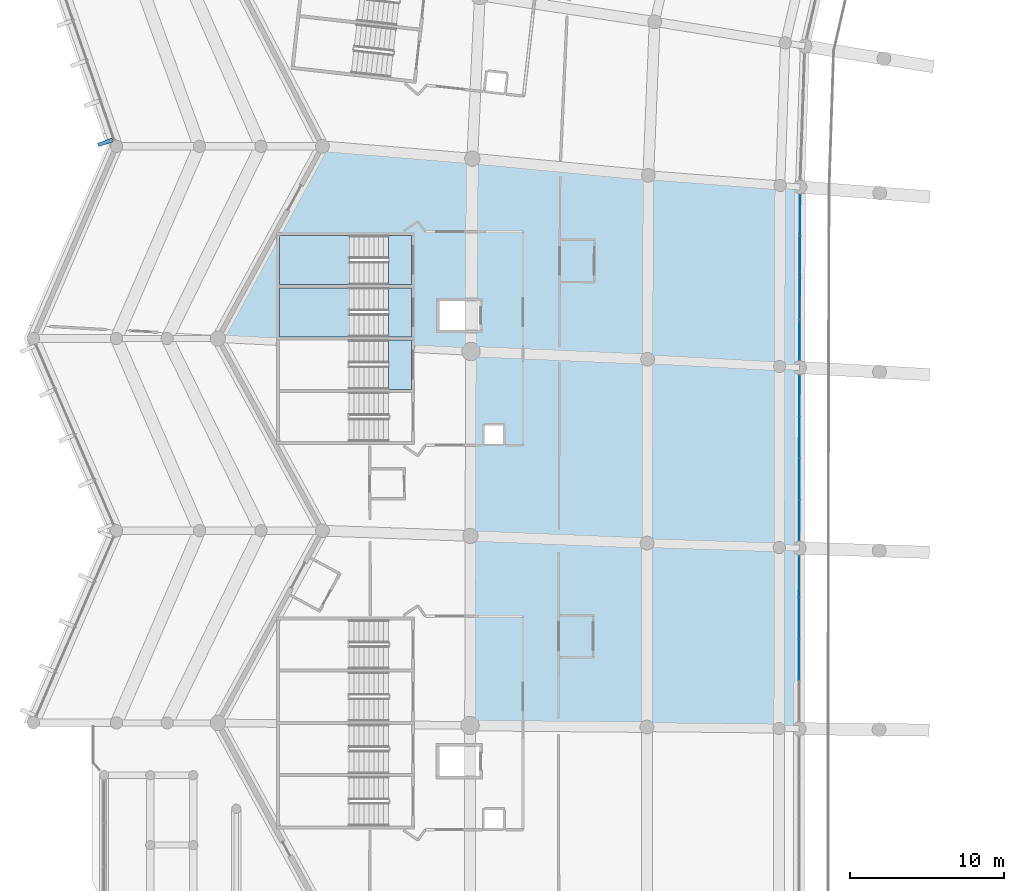
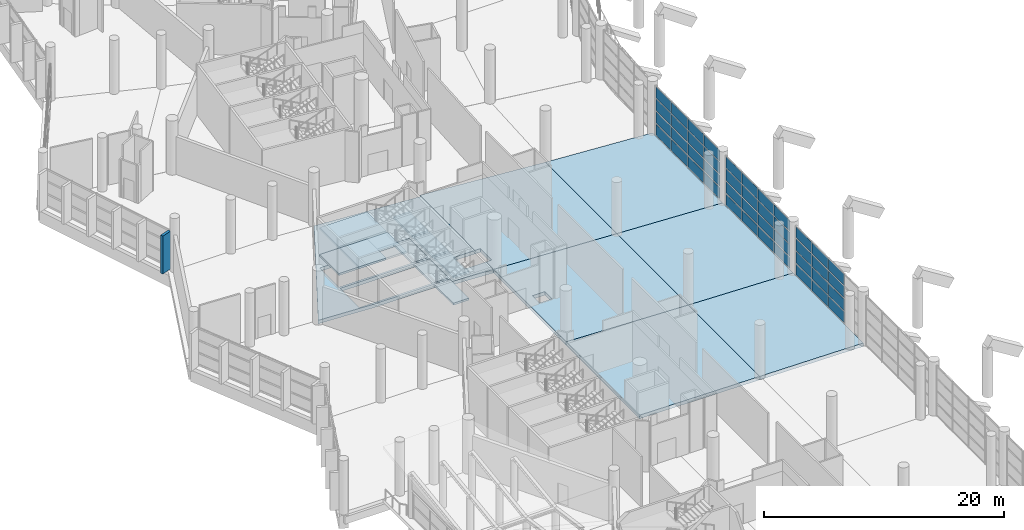
# One storey, part 138 of 271: 45 plates, 16 slabs, 6 elements without a shape of their own.
"""IFC4 building model written with IfcOpenShell, lengths in metres."""

from ifc_helpers import new_model, si_unit, direction, frame, origin, origin_2d, place, context, subcontext, project, spatial, polyline, rectangle, outline, extrude, material, layer, layer_set, type_object, element, aggregate, save


model = new_model("IFC4")

# Units and contexts
model_context = context("Model", 3, precision=1e-05, world=origin(), true_north=direction((0.0, 1.0)))
body_context = subcontext(model_context, "Body", "Model", "MODEL_VIEW")
ifc_project = project(units=[si_unit("LENGTHUNIT", "METRE"), si_unit("AREAUNIT", "SQUARE_METRE"), si_unit("VOLUMEUNIT", "CUBIC_METRE"), si_unit("PLANEANGLEUNIT", "RADIAN"), si_unit("MASSUNIT", "GRAM", prefix="KILO")], contexts=[model_context])

# Site, building, storey
site_placement = place(None, origin())
site = spatial("IfcSite", under=ifc_project, at=site_placement, CompositionType="ELEMENT")
building_placement = place(site_placement, origin())
building = spatial("IfcBuilding", under=site, at=building_placement, Name="Meseta Stadium", CompositionType="ELEMENT")
storey_placement = place(building_placement, frame((0.0, 0.0, 6.5)))
storey = spatial("IfcBuildingStorey", under=building, at=storey_placement, Name="L01", CompositionType="ELEMENT", Elevation=6.5)

# Curtain wall, plates
ifc_material_1 = material(Name="Aluminium", Category="aluminium")
ifc_layer_1 = layer(ifc_material_1, 0.199951171875)
ifc_layer_set_1 = layer_set([ifc_layer_1], Name="Club glazing curtain wall")
curtain_wall_type = type_object("IfcCurtainWallType", Name="Club glazing curtain wall", PredefinedType="NOTDEFINED", material=ifc_layer_set_1)
curtain_wall_1_placement = place(storey_placement, origin())
curtain_wall_1 = element("IfcCurtainWall", 1, at=curtain_wall_1_placement, inside=storey, type_object=curtain_wall_type, Name="Club glazing bay 29", PredefinedType="NOTDEFINED")
ifc_material_2 = material(Name="Glass", Category="glass")
ifc_layer_2 = layer(ifc_material_2, 0.028076171875)
ifc_layer_set_2 = layer_set([ifc_layer_2], Name="CW glass panel 28")
plate_type_1 = type_object("IfcPlateType", Name="CW glass panel 28", PredefinedType="CURTAIN_PANEL", material=ifc_layer_set_2)
plate_1_placement = place(storey_placement, frame((-63.538818359375, 39.2578125, 0.1201171875), z_axis=(0.0, 0.0, 1.0), x_axis=(-0.002758360998, -0.999996195715, 0.0)))
plate_1 = element("IfcPlate", 2, at=plate_1_placement, type_object=plate_type_1, Name="CWC panel 1.1", PredefinedType="CURTAIN_PANEL", context=body_context, shape_type="SweptSolid", body=[
    extrude(rectangle(XDim=2.613037109375, YDim=0.028076171875, at=origin_2d()), origin(), (0.0, 0.0, 1.0), 1.107421875),
])
plate_2_placement = place(storey_placement, frame((-63.538818359375, 39.2578125, 1.347412109375), z_axis=(0.0, 0.0, 1.0), x_axis=(-0.002758360998, -0.999996195715, 0.0)))
plate_2 = element("IfcPlate", 3, at=plate_2_placement, type_object=plate_type_1, Name="CWC panel 1.2", PredefinedType="CURTAIN_PANEL", context=body_context, shape_type="SweptSolid", body=[
    extrude(rectangle(XDim=2.613037109375, YDim=0.028076171875, at=origin_2d()), origin(), (0.0, 0.0, 1.0), 1.16748046875),
])
plate_3_placement = place(storey_placement, frame((-63.538818359375, 39.2578125, 2.635009765625), z_axis=(0.0, 0.0, 1.0), x_axis=(-0.002758360998, -0.999996195715, 0.0)))
plate_3 = element("IfcPlate", 4, at=plate_3_placement, type_object=plate_type_1, Name="CWC panel 1.3", PredefinedType="CURTAIN_PANEL", context=body_context, shape_type="SweptSolid", body=[
    extrude(rectangle(XDim=2.613037109375, YDim=0.028076171875, at=origin_2d()), origin(), (0.0, 0.0, 1.0), 1.16748046875),
])
plate_4_placement = place(storey_placement, frame((-63.538818359375, 39.2578125, 3.922607421875), z_axis=(0.0, 0.0, 1.0), x_axis=(-0.002758360998, -0.999996195715, 0.0)))
plate_4 = element("IfcPlate", 5, at=plate_4_placement, type_object=plate_type_1, Name="CWC panel 1.4", PredefinedType="CURTAIN_PANEL", context=body_context, shape_type="SweptSolid", body=[
    extrude(rectangle(XDim=2.613037109375, YDim=0.028076171875, at=origin_2d()), origin(), (0.0, 0.0, 1.0), 1.107421875),
])
plate_5_placement = place(storey_placement, frame((-63.546142578125, 36.56982421875, 0.1201171875), z_axis=(0.0, 0.0, 1.0), x_axis=(-0.002758360998, -0.999996195715, 0.0)))
plate_5 = element("IfcPlate", 6, at=plate_5_placement, type_object=plate_type_1, Name="CWC panel 2.1", PredefinedType="CURTAIN_PANEL", context=body_context, shape_type="SweptSolid", body=[
    extrude(rectangle(XDim=2.64306640625, YDim=0.028076171875, at=origin_2d()), origin(), (0.0, 0.0, 1.0), 1.107421875),
])
plate_6_placement = place(storey_placement, frame((-63.546142578125, 36.56982421875, 1.347412109375), z_axis=(0.0, 0.0, 1.0), x_axis=(-0.002758360998, -0.999996195715, 0.0)))
plate_6 = element("IfcPlate", 7, at=plate_6_placement, type_object=plate_type_1, Name="CWC panel 2.2", PredefinedType="CURTAIN_PANEL", context=body_context, shape_type="SweptSolid", body=[
    extrude(rectangle(XDim=2.64306640625, YDim=0.028076171875, at=origin_2d()), origin(), (0.0, 0.0, 1.0), 1.16748046875),
])
plate_7_placement = place(storey_placement, frame((-63.546142578125, 36.56982421875, 2.635009765625), z_axis=(0.0, 0.0, 1.0), x_axis=(-0.002758360998, -0.999996195715, 0.0)))
plate_7 = element("IfcPlate", 8, at=plate_7_placement, type_object=plate_type_1, Name="CWC panel 2.3", PredefinedType="CURTAIN_PANEL", context=body_context, shape_type="SweptSolid", body=[
    extrude(rectangle(XDim=2.64306640625, YDim=0.028076171875, at=origin_2d()), origin(), (0.0, 0.0, 1.0), 1.16748046875),
])
plate_8_placement = place(storey_placement, frame((-63.546142578125, 36.56982421875, 3.922607421875), z_axis=(0.0, 0.0, 1.0), x_axis=(-0.002758360998, -0.999996195715, 0.0)))
plate_8 = element("IfcPlate", 9, at=plate_8_placement, type_object=plate_type_1, Name="CWC panel 2.4", PredefinedType="CURTAIN_PANEL", context=body_context, shape_type="SweptSolid", body=[
    extrude(rectangle(XDim=2.64306640625, YDim=0.028076171875, at=origin_2d()), origin(), (0.0, 0.0, 1.0), 1.107421875),
])
plate_9_placement = place(storey_placement, frame((-63.5537109375, 33.86669921875, 0.1201171875), z_axis=(0.0, 0.0, 1.0), x_axis=(-0.002758360998, -0.999996195715, 0.0)))
plate_9 = element("IfcPlate", 10, at=plate_9_placement, type_object=plate_type_1, Name="CWC panel 3.1", PredefinedType="CURTAIN_PANEL", context=body_context, shape_type="SweptSolid", body=[
    extrude(rectangle(XDim=2.64306640625, YDim=0.028076171875, at=origin_2d()), origin(), (0.0, 0.0, 1.0), 1.107421875),
])
plate_10_placement = place(storey_placement, frame((-63.5537109375, 33.86669921875, 1.347412109375), z_axis=(0.0, 0.0, 1.0), x_axis=(-0.002758360998, -0.999996195715, 0.0)))
plate_10 = element("IfcPlate", 11, at=plate_10_placement, type_object=plate_type_1, Name="CWC panel 3.2", PredefinedType="CURTAIN_PANEL", context=body_context, shape_type="SweptSolid", body=[
    extrude(rectangle(XDim=2.64306640625, YDim=0.028076171875, at=origin_2d()), origin(), (0.0, 0.0, 1.0), 1.16748046875),
])
plate_11_placement = place(storey_placement, frame((-63.5537109375, 33.86669921875, 2.635009765625), z_axis=(0.0, 0.0, 1.0), x_axis=(-0.002758360998, -0.999996195715, 0.0)))
plate_11 = element("IfcPlate", 12, at=plate_11_placement, type_object=plate_type_1, Name="CWC panel 3.3", PredefinedType="CURTAIN_PANEL", context=body_context, shape_type="SweptSolid", body=[
    extrude(rectangle(XDim=2.64306640625, YDim=0.028076171875, at=origin_2d()), origin(), (0.0, 0.0, 1.0), 1.16748046875),
])
plate_12_placement = place(storey_placement, frame((-63.5537109375, 33.86669921875, 3.922607421875), z_axis=(0.0, 0.0, 1.0), x_axis=(-0.002758360998, -0.999996195715, 0.0)))
plate_12 = element("IfcPlate", 13, at=plate_12_placement, type_object=plate_type_1, Name="CWC panel 3.4", PredefinedType="CURTAIN_PANEL", context=body_context, shape_type="SweptSolid", body=[
    extrude(rectangle(XDim=2.64306640625, YDim=0.028076171875, at=origin_2d()), origin(), (0.0, 0.0, 1.0), 1.107421875),
])
plate_13_placement = place(storey_placement, frame((-63.56103515625, 31.1787109375, 0.1201171875), z_axis=(0.0, 0.0, 1.0), x_axis=(-0.002758360998, -0.999996195715, 0.0)))
plate_13 = element("IfcPlate", 14, at=plate_13_placement, type_object=plate_type_1, Name="CWC panel 4.1", PredefinedType="CURTAIN_PANEL", context=body_context, shape_type="SweptSolid", body=[
    extrude(rectangle(XDim=2.613037109375, YDim=0.028076171875, at=origin_2d()), origin(), (0.0, 0.0, 1.0), 1.107421875),
])
plate_14_placement = place(storey_placement, frame((-63.56103515625, 31.1787109375, 1.347412109375), z_axis=(0.0, 0.0, 1.0), x_axis=(-0.002758360998, -0.999996195715, 0.0)))
plate_14 = element("IfcPlate", 15, at=plate_14_placement, type_object=plate_type_1, Name="CWC panel 4.2", PredefinedType="CURTAIN_PANEL", context=body_context, shape_type="SweptSolid", body=[
    extrude(rectangle(XDim=2.613037109375, YDim=0.028076171875, at=origin_2d()), origin(), (0.0, 0.0, 1.0), 1.16748046875),
])
plate_15_placement = place(storey_placement, frame((-63.56103515625, 31.1787109375, 2.635009765625), z_axis=(0.0, 0.0, 1.0), x_axis=(-0.002758360998, -0.999996195715, 0.0)))
plate_15 = element("IfcPlate", 16, at=plate_15_placement, type_object=plate_type_1, Name="CWC panel 4.3", PredefinedType="CURTAIN_PANEL", context=body_context, shape_type="SweptSolid", body=[
    extrude(rectangle(XDim=2.613037109375, YDim=0.028076171875, at=origin_2d()), origin(), (0.0, 0.0, 1.0), 1.16748046875),
])
plate_16_placement = place(storey_placement, frame((-63.56103515625, 31.1787109375, 3.922607421875), z_axis=(0.0, 0.0, 1.0), x_axis=(-0.002758360998, -0.999996195715, 0.0)))
plate_16 = element("IfcPlate", 17, at=plate_16_placement, type_object=plate_type_1, Name="CWC panel 4.4", PredefinedType="CURTAIN_PANEL", context=body_context, shape_type="SweptSolid", body=[
    extrude(rectangle(XDim=2.613037109375, YDim=0.028076171875, at=origin_2d()), origin(), (0.0, 0.0, 1.0), 1.107421875),
])
aggregate(curtain_wall_1, [plate_1, plate_2, plate_3, plate_4, plate_5, plate_6, plate_7, plate_8, plate_9, plate_10, plate_11, plate_12, plate_13, plate_14, plate_15, plate_16])

curtain_wall_2_placement = place(storey_placement, origin())
curtain_wall_2 = element("IfcCurtainWall", 18, at=curtain_wall_2_placement, inside=storey, type_object=curtain_wall_type, Name="Club glazing bay 30", PredefinedType="NOTDEFINED")
plate_17_placement = place(storey_placement, frame((-63.569580078125, 27.515869140625, 0.1201171875), z_axis=(0.0, 0.0, 1.0), x_axis=(-0.0018452545, -0.999998297516, 0.0)))
plate_17 = element("IfcPlate", 19, at=plate_17_placement, type_object=plate_type_1, Name="CWC panel 1.1", PredefinedType="CURTAIN_PANEL", context=body_context, shape_type="SweptSolid", body=[
    extrude(rectangle(XDim=2.61376953125, YDim=0.028076171875, at=origin_2d()), origin(), (0.0, 0.0, 1.0), 1.107421875),
])
plate_18_placement = place(storey_placement, frame((-63.569580078125, 27.515869140625, 1.347412109375), z_axis=(0.0, 0.0, 1.0), x_axis=(-0.0018452545, -0.999998297516, 0.0)))
plate_18 = element("IfcPlate", 20, at=plate_18_placement, type_object=plate_type_1, Name="CWC panel 1.2", PredefinedType="CURTAIN_PANEL", context=body_context, shape_type="SweptSolid", body=[
    extrude(rectangle(XDim=2.61376953125, YDim=0.028076171875, at=origin_2d()), origin(), (0.0, 0.0, 1.0), 1.16748046875),
])
plate_19_placement = place(storey_placement, frame((-63.569580078125, 27.515869140625, 2.635009765625), z_axis=(0.0, 0.0, 1.0), x_axis=(-0.0018452545, -0.999998297516, 0.0)))
plate_19 = element("IfcPlate", 21, at=plate_19_placement, type_object=plate_type_1, Name="CWC panel 1.3", PredefinedType="CURTAIN_PANEL", context=body_context, shape_type="SweptSolid", body=[
    extrude(rectangle(XDim=2.61376953125, YDim=0.028076171875, at=origin_2d()), origin(), (0.0, 0.0, 1.0), 1.16748046875),
])
plate_20_placement = place(storey_placement, frame((-63.569580078125, 27.515869140625, 3.922607421875), z_axis=(0.0, 0.0, 1.0), x_axis=(-0.0018452545, -0.999998297516, 0.0)))
plate_20 = element("IfcPlate", 22, at=plate_20_placement, type_object=plate_type_1, Name="CWC panel 1.4", PredefinedType="CURTAIN_PANEL", context=body_context, shape_type="SweptSolid", body=[
    extrude(rectangle(XDim=2.61376953125, YDim=0.028076171875, at=origin_2d()), origin(), (0.0, 0.0, 1.0), 1.107421875),
])
plate_21_placement = place(storey_placement, frame((-63.574462890625, 24.8271484375, 0.1201171875), z_axis=(0.0, 0.0, 1.0), x_axis=(-0.0018452545, -0.999998297516, 0.0)))
plate_21 = element("IfcPlate", 23, at=plate_21_placement, type_object=plate_type_1, Name="CWC panel 2.1", PredefinedType="CURTAIN_PANEL", context=body_context, shape_type="SweptSolid", body=[
    extrude(rectangle(XDim=2.6435546875, YDim=0.028076171875, at=origin_2d()), origin(), (0.0, 0.0, 1.0), 1.107421875),
])
plate_22_placement = place(storey_placement, frame((-63.574462890625, 24.8271484375, 1.347412109375), z_axis=(0.0, 0.0, 1.0), x_axis=(-0.0018452545, -0.999998297516, 0.0)))
plate_22 = element("IfcPlate", 24, at=plate_22_placement, type_object=plate_type_1, Name="CWC panel 2.2", PredefinedType="CURTAIN_PANEL", context=body_context, shape_type="SweptSolid", body=[
    extrude(rectangle(XDim=2.6435546875, YDim=0.028076171875, at=origin_2d()), origin(), (0.0, 0.0, 1.0), 1.16748046875),
])
plate_23_placement = place(storey_placement, frame((-63.574462890625, 24.8271484375, 2.635009765625), z_axis=(0.0, 0.0, 1.0), x_axis=(-0.0018452545, -0.999998297516, 0.0)))
plate_23 = element("IfcPlate", 25, at=plate_23_placement, type_object=plate_type_1, Name="CWC panel 2.3", PredefinedType="CURTAIN_PANEL", context=body_context, shape_type="SweptSolid", body=[
    extrude(rectangle(XDim=2.6435546875, YDim=0.028076171875, at=origin_2d()), origin(), (0.0, 0.0, 1.0), 1.16748046875),
])
plate_24_placement = place(storey_placement, frame((-63.574462890625, 24.8271484375, 3.922607421875), z_axis=(0.0, 0.0, 1.0), x_axis=(-0.0018452545, -0.999998297516, 0.0)))
plate_24 = element("IfcPlate", 26, at=plate_24_placement, type_object=plate_type_1, Name="CWC panel 2.4", PredefinedType="CURTAIN_PANEL", context=body_context, shape_type="SweptSolid", body=[
    extrude(rectangle(XDim=2.6435546875, YDim=0.028076171875, at=origin_2d()), origin(), (0.0, 0.0, 1.0), 1.107421875),
])
plate_25_placement = place(storey_placement, frame((-63.57958984375, 22.12353515625, 0.1201171875), z_axis=(0.0, 0.0, 1.0), x_axis=(-0.0018452545, -0.999998297516, 0.0)))
plate_25 = element("IfcPlate", 27, at=plate_25_placement, type_object=plate_type_1, Name="CWC panel 3.1", PredefinedType="CURTAIN_PANEL", context=body_context, shape_type="SweptSolid", body=[
    extrude(rectangle(XDim=2.6435546875, YDim=0.028076171875, at=origin_2d()), origin(), (0.0, 0.0, 1.0), 1.107421875),
])
plate_26_placement = place(storey_placement, frame((-63.57958984375, 22.12353515625, 1.347412109375), z_axis=(0.0, 0.0, 1.0), x_axis=(-0.0018452545, -0.999998297516, 0.0)))
plate_26 = element("IfcPlate", 28, at=plate_26_placement, type_object=plate_type_1, Name="CWC panel 3.2", PredefinedType="CURTAIN_PANEL", context=body_context, shape_type="SweptSolid", body=[
    extrude(rectangle(XDim=2.6435546875, YDim=0.028076171875, at=origin_2d()), origin(), (0.0, 0.0, 1.0), 1.16748046875),
])
plate_27_placement = place(storey_placement, frame((-63.57958984375, 22.12353515625, 2.635009765625), z_axis=(0.0, 0.0, 1.0), x_axis=(-0.0018452545, -0.999998297516, 0.0)))
plate_27 = element("IfcPlate", 29, at=plate_27_placement, type_object=plate_type_1, Name="CWC panel 3.3", PredefinedType="CURTAIN_PANEL", context=body_context, shape_type="SweptSolid", body=[
    extrude(rectangle(XDim=2.6435546875, YDim=0.028076171875, at=origin_2d()), origin(), (0.0, 0.0, 1.0), 1.16748046875),
])
plate_28_placement = place(storey_placement, frame((-63.57958984375, 22.12353515625, 3.922607421875), z_axis=(0.0, 0.0, 1.0), x_axis=(-0.0018452545, -0.999998297516, 0.0)))
plate_28 = element("IfcPlate", 30, at=plate_28_placement, type_object=plate_type_1, Name="CWC panel 3.4", PredefinedType="CURTAIN_PANEL", context=body_context, shape_type="SweptSolid", body=[
    extrude(rectangle(XDim=2.6435546875, YDim=0.028076171875, at=origin_2d()), origin(), (0.0, 0.0, 1.0), 1.107421875),
])
plate_29_placement = place(storey_placement, frame((-63.58447265625, 19.434814453125, 0.1201171875), z_axis=(0.0, 0.0, 1.0), x_axis=(-0.0018452545, -0.999998297516, 0.0)))
plate_29 = element("IfcPlate", 31, at=plate_29_placement, type_object=plate_type_1, Name="CWC panel 4.1", PredefinedType="CURTAIN_PANEL", context=body_context, shape_type="SweptSolid", body=[
    extrude(rectangle(XDim=2.61376953125, YDim=0.028076171875, at=origin_2d()), origin(), (0.0, 0.0, 1.0), 1.107421875),
])
plate_30_placement = place(storey_placement, frame((-63.58447265625, 19.434814453125, 1.347412109375), z_axis=(0.0, 0.0, 1.0), x_axis=(-0.0018452545, -0.999998297516, 0.0)))
plate_30 = element("IfcPlate", 32, at=plate_30_placement, type_object=plate_type_1, Name="CWC panel 4.2", PredefinedType="CURTAIN_PANEL", context=body_context, shape_type="SweptSolid", body=[
    extrude(rectangle(XDim=2.61376953125, YDim=0.028076171875, at=origin_2d()), origin(), (0.0, 0.0, 1.0), 1.16748046875),
])
plate_31_placement = place(storey_placement, frame((-63.58447265625, 19.434814453125, 2.635009765625), z_axis=(0.0, 0.0, 1.0), x_axis=(-0.0018452545, -0.999998297516, 0.0)))
plate_31 = element("IfcPlate", 33, at=plate_31_placement, type_object=plate_type_1, Name="CWC panel 4.3", PredefinedType="CURTAIN_PANEL", context=body_context, shape_type="SweptSolid", body=[
    extrude(rectangle(XDim=2.61376953125, YDim=0.028076171875, at=origin_2d()), origin(), (0.0, 0.0, 1.0), 1.16748046875),
])
plate_32_placement = place(storey_placement, frame((-63.58447265625, 19.434814453125, 3.922607421875), z_axis=(0.0, 0.0, 1.0), x_axis=(-0.0018452545, -0.999998297516, 0.0)))
plate_32 = element("IfcPlate", 34, at=plate_32_placement, type_object=plate_type_1, Name="CWC panel 4.4", PredefinedType="CURTAIN_PANEL", context=body_context, shape_type="SweptSolid", body=[
    extrude(rectangle(XDim=2.61376953125, YDim=0.028076171875, at=origin_2d()), origin(), (0.0, 0.0, 1.0), 1.107421875),
])
aggregate(curtain_wall_2, [plate_17, plate_18, plate_19, plate_20, plate_21, plate_22, plate_23, plate_24, plate_25, plate_26, plate_27, plate_28, plate_29, plate_30, plate_31, plate_32])

curtain_wall_3_placement = place(storey_placement, origin())
curtain_wall_3 = element("IfcCurtainWall", 35, at=curtain_wall_3_placement, inside=storey, type_object=curtain_wall_type, Name="Club glazing bay 31", PredefinedType="NOTDEFINED")
plate_33_placement = place(storey_placement, frame((-63.589599609375, 15.771728515625, 0.1201171875), z_axis=(0.0, 0.0, 1.0), x_axis=(-0.000924539991, -0.999999572613, 0.0)))
plate_33 = element("IfcPlate", 36, at=plate_33_placement, type_object=plate_type_1, Name="CWC panel 1.1", PredefinedType="CURTAIN_PANEL", context=body_context, shape_type="SweptSolid", body=[
    extrude(rectangle(XDim=2.614013671875, YDim=0.028076171875, at=origin_2d()), origin(), (0.0, 0.0, 1.0), 1.107421875),
])
plate_34_placement = place(storey_placement, frame((-63.589599609375, 15.771728515625, 1.347412109375), z_axis=(0.0, 0.0, 1.0), x_axis=(-0.000924539991, -0.999999572613, 0.0)))
plate_34 = element("IfcPlate", 37, at=plate_34_placement, type_object=plate_type_1, Name="CWC panel 1.2", PredefinedType="CURTAIN_PANEL", context=body_context, shape_type="SweptSolid", body=[
    extrude(rectangle(XDim=2.614013671875, YDim=0.028076171875, at=origin_2d()), origin(), (0.0, 0.0, 1.0), 1.16748046875),
])
plate_35_placement = place(storey_placement, frame((-63.589599609375, 15.771728515625, 2.635009765625), z_axis=(0.0, 0.0, 1.0), x_axis=(-0.000924539991, -0.999999572613, 0.0)))
plate_35 = element("IfcPlate", 38, at=plate_35_placement, type_object=plate_type_1, Name="CWC panel 1.3", PredefinedType="CURTAIN_PANEL", context=body_context, shape_type="SweptSolid", body=[
    extrude(rectangle(XDim=2.614013671875, YDim=0.028076171875, at=origin_2d()), origin(), (0.0, 0.0, 1.0), 1.16748046875),
])
plate_36_placement = place(storey_placement, frame((-63.589599609375, 15.771728515625, 3.922607421875), z_axis=(0.0, 0.0, 1.0), x_axis=(-0.000924539991, -0.999999572613, 0.0)))
plate_36 = element("IfcPlate", 39, at=plate_36_placement, type_object=plate_type_1, Name="CWC panel 1.4", PredefinedType="CURTAIN_PANEL", context=body_context, shape_type="SweptSolid", body=[
    extrude(rectangle(XDim=2.614013671875, YDim=0.028076171875, at=origin_2d()), origin(), (0.0, 0.0, 1.0), 1.107421875),
])
plate_37_placement = place(storey_placement, frame((-63.592041015625, 13.082763671875, 0.1201171875), z_axis=(0.0, 0.0, 1.0), x_axis=(-0.000924539991, -0.999999572613, 0.0)))
plate_37 = element("IfcPlate", 40, at=plate_37_placement, type_object=plate_type_1, Name="CWC panel 2.1", PredefinedType="CURTAIN_PANEL", context=body_context, shape_type="SweptSolid", body=[
    extrude(rectangle(XDim=2.64404296875, YDim=0.028076171875, at=origin_2d()), origin(), (0.0, 0.0, 1.0), 1.107421875),
])
plate_38_placement = place(storey_placement, frame((-63.592041015625, 13.082763671875, 1.347412109375), z_axis=(0.0, 0.0, 1.0), x_axis=(-0.000924539991, -0.999999572613, 0.0)))
plate_38 = element("IfcPlate", 41, at=plate_38_placement, type_object=plate_type_1, Name="CWC panel 2.2", PredefinedType="CURTAIN_PANEL", context=body_context, shape_type="SweptSolid", body=[
    extrude(rectangle(XDim=2.64404296875, YDim=0.028076171875, at=origin_2d()), origin(), (0.0, 0.0, 1.0), 1.16748046875),
])
plate_39_placement = place(storey_placement, frame((-63.592041015625, 13.082763671875, 2.635009765625), z_axis=(0.0, 0.0, 1.0), x_axis=(-0.000924539991, -0.999999572613, 0.0)))
plate_39 = element("IfcPlate", 42, at=plate_39_placement, type_object=plate_type_1, Name="CWC panel 2.3", PredefinedType="CURTAIN_PANEL", context=body_context, shape_type="SweptSolid", body=[
    extrude(rectangle(XDim=2.64404296875, YDim=0.028076171875, at=origin_2d()), origin(), (0.0, 0.0, 1.0), 1.16748046875),
])
plate_40_placement = place(storey_placement, frame((-63.592041015625, 13.082763671875, 3.922607421875), z_axis=(0.0, 0.0, 1.0), x_axis=(-0.000924539991, -0.999999572613, 0.0)))
plate_40 = element("IfcPlate", 43, at=plate_40_placement, type_object=plate_type_1, Name="CWC panel 2.4", PredefinedType="CURTAIN_PANEL", context=body_context, shape_type="SweptSolid", body=[
    extrude(rectangle(XDim=2.64404296875, YDim=0.028076171875, at=origin_2d()), origin(), (0.0, 0.0, 1.0), 1.107421875),
])
plate_41_placement = place(storey_placement, frame((-63.594482421875, 10.37890625, 0.1201171875), z_axis=(0.0, 0.0, 1.0), x_axis=(-0.000924539991, -0.999999572613, 0.0)))
plate_41 = element("IfcPlate", 44, at=plate_41_placement, type_object=plate_type_1, Name="CWC panel 3.1", PredefinedType="CURTAIN_PANEL", context=body_context, shape_type="SweptSolid", body=[
    extrude(rectangle(XDim=2.64404296875, YDim=0.028076171875, at=origin_2d()), origin(), (0.0, 0.0, 1.0), 1.107421875),
])
plate_42_placement = place(storey_placement, frame((-63.594482421875, 10.37890625, 1.347412109375), z_axis=(0.0, 0.0, 1.0), x_axis=(-0.000924539991, -0.999999572613, 0.0)))
plate_42 = element("IfcPlate", 45, at=plate_42_placement, type_object=plate_type_1, Name="CWC panel 3.2", PredefinedType="CURTAIN_PANEL", context=body_context, shape_type="SweptSolid", body=[
    extrude(rectangle(XDim=2.64404296875, YDim=0.028076171875, at=origin_2d()), origin(), (0.0, 0.0, 1.0), 1.16748046875),
])
plate_43_placement = place(storey_placement, frame((-63.594482421875, 10.37890625, 2.635009765625), z_axis=(0.0, 0.0, 1.0), x_axis=(-0.000924539991, -0.999999572613, 0.0)))
plate_43 = element("IfcPlate", 46, at=plate_43_placement, type_object=plate_type_1, Name="CWC panel 3.3", PredefinedType="CURTAIN_PANEL", context=body_context, shape_type="SweptSolid", body=[
    extrude(rectangle(XDim=2.64404296875, YDim=0.028076171875, at=origin_2d()), origin(), (0.0, 0.0, 1.0), 1.16748046875),
])
plate_44_placement = place(storey_placement, frame((-63.594482421875, 10.37890625, 3.922607421875), z_axis=(0.0, 0.0, 1.0), x_axis=(-0.000924539991, -0.999999572613, 0.0)))
plate_44 = element("IfcPlate", 47, at=plate_44_placement, type_object=plate_type_1, Name="CWC panel 3.4", PredefinedType="CURTAIN_PANEL", context=body_context, shape_type="SweptSolid", body=[
    extrude(rectangle(XDim=2.64404296875, YDim=0.028076171875, at=origin_2d()), origin(), (0.0, 0.0, 1.0), 1.107421875),
])
aggregate(curtain_wall_3, [plate_33, plate_34, plate_35, plate_36, plate_37, plate_38, plate_39, plate_40, plate_41, plate_42, plate_43, plate_44])

# Slabs
ifc_material_3 = material(Name="Concrete C40/50", Category="concrete")
ifc_layer_3 = layer(ifc_material_3, 0.35009765625)
ifc_layer_set_3 = layer_set([ifc_layer_3], Name="Floor slab 350")
slab_type_1 = type_object("IfcSlabType", Name="Floor slab 350", PredefinedType="FLOOR", material=ifc_layer_set_3)
slab_1_placement = place(storey_placement, frame((0.0, 0.0, -0.35009765625)))
element("IfcSlab", 48, at=slab_1_placement, inside=storey, type_object=slab_type_1, Name="Floor slab L01 sector 28 panel 04", PredefinedType="FLOOR", context=body_context, shape_type="SweptSolid", body=[
    extrude(outline(polyline([(-84.85546875, 42.7412109375), (-94.736328125, 43.49951171875), (-101.301513671875, 31.430908203125), (-96.176025390625, 31.14990234375), (-88.800048828125, 31.14990234375), (-88.800048828125, 30.74560546875), (-84.939697265625, 30.533935546875), (-84.93115234375, 31.800048828125), (-87.0, 31.800048828125), (-87.0, 33.699951171875), (-84.91796875, 33.699951171875), (-84.85546875, 42.7412109375)]), holes=[polyline([(-88.800048828125, 34.550048828125), (-88.800048828125, 31.35009765625), (-97.39990234375, 31.35009765625), (-97.39990234375, 34.550048828125), (-88.800048828125, 34.550048828125)]), polyline([(-88.800048828125, 37.949951171875), (-88.800048828125, 34.75), (-97.39990234375, 34.75), (-97.39990234375, 37.949951171875), (-88.800048828125, 37.949951171875)])]), origin(), (0.0, 0.0, 1.0), 0.35009765625),
])
slab_2_placement = place(storey_placement, frame((0.0, 0.0, -0.35009765625)))
element("IfcSlab", 49, at=slab_2_placement, inside=storey, type_object=slab_type_1, Name="Floor slab L01 sector 28 panel 08", PredefinedType="FLOOR", context=body_context, shape_type="SweptSolid", body=[
    extrude(outline(polyline([(-73.482421875, 17.943603515625), (-84.97314453125, 18.41064453125), (-84.99755859375, 6.107421875), (-73.498046875, 5.981201171875), (-73.482421875, 17.943603515625)])), origin(), (0.0, 0.0, 1.0), 0.35009765625),
])
slab_3_placement = place(storey_placement, frame((0.0, 0.0, -0.35009765625)))
element("IfcSlab", 50, at=slab_3_placement, inside=storey, type_object=slab_type_1, Name="Floor slab L01 sector 28 panel 10", PredefinedType="FLOOR", context=body_context, shape_type="SweptSolid", body=[
    extrude(outline(polyline([(-73.451416015625, 29.904052734375), (-84.939697265625, 30.533935546875), (-84.97314453125, 18.41064453125), (-73.482421875, 17.943603515625), (-73.451416015625, 29.904052734375)]), holes=[polyline([(-82.85009765625, 25.60009765625), (-82.85009765625, 24.39990234375), (-84.050048828125, 24.39990234375), (-84.050048828125, 25.60009765625), (-82.85009765625, 25.60009765625)])]), origin(), (0.0, 0.0, 1.0), 0.35009765625),
])
slab_4_placement = place(storey_placement, frame((0.0, 0.0, -0.35009765625)))
element("IfcSlab", 51, at=slab_4_placement, inside=storey, type_object=slab_type_1, Name="Floor slab L01 sector 28 panel 12", PredefinedType="FLOOR", context=body_context, shape_type="SweptSolid", body=[
    extrude(outline(polyline([(-73.40478515625, 41.8623046875), (-84.85400390625, 42.948486328125), (-84.91796875, 33.699951171875), (-84.39990234375, 33.699951171875), (-84.39990234375, 31.800048828125), (-84.93115234375, 31.800048828125), (-84.939697265625, 30.533935546875), (-73.451416015625, 29.904052734375), (-73.40478515625, 41.8623046875)])), origin(), (0.0, 0.0, 1.0), 0.35009765625),
])
slab_5_placement = place(storey_placement, frame((0.0, 0.0, -0.35009765625)))
element("IfcSlab", 52, at=slab_5_placement, inside=storey, type_object=slab_type_1, Name="Floor slab L01 sector 28 panel 17", PredefinedType="FLOOR", context=body_context, shape_type="SweptSolid", body=[
    extrude(outline(polyline([(-63.587890625, 17.617919921875), (-73.482421875, 17.943603515625), (-73.498046875, 5.981201171875), (-63.5986328125, 5.872802734375), (-63.594482421875, 11.74560546875), (-63.587890625, 17.617919921875)])), origin(), (0.0, 0.0, 1.0), 0.35009765625),
])
slab_6_placement = place(storey_placement, frame((0.0, 0.0, -0.35009765625)))
element("IfcSlab", 53, at=slab_6_placement, inside=storey, type_object=slab_type_1, Name="Floor slab L01 sector 28 panel 19", PredefinedType="FLOOR", context=body_context, shape_type="SweptSolid", body=[
    extrude(outline(polyline([(-63.566162109375, 29.3623046875), (-73.451416015625, 29.904052734375), (-73.482421875, 17.943603515625), (-63.587890625, 17.617919921875), (-63.581787109375, 21.532958984375), (-63.566162109375, 29.3623046875)])), origin(), (0.0, 0.0, 1.0), 0.35009765625),
])
slab_7_placement = place(storey_placement, frame((0.0, 0.0, -0.35009765625)))
element("IfcSlab", 54, at=slab_7_placement, inside=storey, type_object=slab_type_1, Name="Floor slab L01 sector 28 panel 20", PredefinedType="FLOOR", context=body_context, shape_type="SweptSolid", body=[
    extrude(outline(polyline([(-63.53369140625, 41.1044921875), (-73.40478515625, 41.8623046875), (-73.451416015625, 29.904052734375), (-63.566162109375, 29.3623046875), (-63.556396484375, 33.276611328125), (-63.53369140625, 41.1044921875)])), origin(), (0.0, 0.0, 1.0), 0.35009765625),
])

# Plate
ifc_material_4 = material(Name="Precast concrete C40/50", Category="concrete")
ifc_layer_4 = layer(ifc_material_4, 0.25)
ifc_layer_set_4 = layer_set([ifc_layer_4], Name="Ring brise-soleil fin 250x1000")
plate_type_2 = type_object("IfcPlateType", Name="Ring brise-soleil fin 250x1000", PredefinedType="USERDEFINED", material=ifc_layer_set_4)
plate_45_placement = place(storey_placement, frame((-108.721923828125, 44.00390625, 0.0), z_axis=(0.0, 0.0, 1.0), x_axis=(0.325393223316, -0.945578791122, 0.0)))
element("IfcPlate", 55, at=plate_45_placement, inside=storey, type_object=plate_type_2, Name="Brise-soleil fin L01 F28.6", ObjectType="FIN", PredefinedType="USERDEFINED", context=body_context, shape_type="SweptSolid", body=[
    extrude(rectangle(XDim=0.25, YDim=1.0, at=origin_2d()), origin(), (0.0, 0.0, 1.0), 3.85009765625),
])

# Stair, slabs
ifc_material_5 = material(Name="Concrete C40/50", Category="concrete")
stair_type = type_object("IfcStairType", Name="Exit stair 4 flights 153 mm risers", PredefinedType="HALF_TURN_STAIR", material=ifc_material_5)
stair_1_placement = place(storey_placement, origin())
stair_1 = element("IfcStair", 56, at=stair_1_placement, inside=storey, type_object=stair_type, Name="ST61 L01", PredefinedType="HALF_TURN_STAIR")
ifc_material_6 = material(Name="Concrete C40/50", Category="concrete")
ifc_layer_5 = layer(ifc_material_6, 0.199951171875)
ifc_layer_set_5 = layer_set([ifc_layer_5], Name="Stair landing 200")
slab_type_2 = type_object("IfcSlabType", Name="Stair landing 200", PredefinedType="LANDING", material=ifc_layer_set_5)
slab_8_placement = place(storey_placement, frame((0.0, 0.0, 1.175048828125)))
slab_8 = element("IfcSlab", 57, at=slab_8_placement, type_object=slab_type_2, Name="ST61 L01 landing 1", PredefinedType="LANDING", context=body_context, shape_type="SweptSolid", body=[
    extrude(outline(polyline([(-92.85009765625, 37.949951171875), (-97.39990234375, 37.949951171875), (-97.39990234375, 34.75), (-92.85009765625, 34.75), (-92.85009765625, 37.949951171875)])), origin(), (0.0, 0.0, 1.0), 0.199951171875),
])
slab_9_placement = place(storey_placement, frame((0.0, 0.0, 2.550048828125)))
slab_9 = element("IfcSlab", 58, at=slab_9_placement, type_object=slab_type_2, Name="ST61 L01 landing 2", PredefinedType="LANDING", context=body_context, shape_type="SweptSolid", body=[
    extrude(outline(polyline([(-88.800048828125, 37.949951171875), (-90.31005859375, 37.949951171875), (-90.31005859375, 34.75), (-88.800048828125, 34.75), (-88.800048828125, 37.949951171875)])), origin(), (0.0, 0.0, 1.0), 0.199951171875),
])
slab_10_placement = place(storey_placement, frame((0.0, 0.0, 3.925048828125)))
slab_10 = element("IfcSlab", 59, at=slab_10_placement, type_object=slab_type_2, Name="ST61 L01 landing 3", PredefinedType="LANDING", context=body_context, shape_type="SweptSolid", body=[
    extrude(outline(polyline([(-92.85009765625, 37.949951171875), (-97.39990234375, 37.949951171875), (-97.39990234375, 34.75), (-92.85009765625, 34.75), (-92.85009765625, 37.949951171875)])), origin(), (0.0, 0.0, 1.0), 0.199951171875),
])
slab_11_placement = place(storey_placement, frame((0.0, 0.0, -0.199951171875)))
slab_11 = element("IfcSlab", 60, at=slab_11_placement, type_object=slab_type_2, Name="ST61 L01 landing 4", PredefinedType="LANDING", context=body_context, shape_type="SweptSolid", body=[
    extrude(outline(polyline([(-88.800048828125, 37.949951171875), (-90.31005859375, 37.949951171875), (-90.31005859375, 34.75), (-88.800048828125, 34.75), (-88.800048828125, 37.949951171875)])), origin(), (0.0, 0.0, 1.0), 0.199951171875),
])
aggregate(stair_1, [slab_8, slab_9, slab_10, slab_11])

stair_2_placement = place(storey_placement, origin())
stair_2 = element("IfcStair", 61, at=stair_2_placement, inside=storey, type_object=stair_type, Name="ST62 L01", PredefinedType="HALF_TURN_STAIR")
slab_12_placement = place(storey_placement, frame((0.0, 0.0, 2.550048828125)))
slab_12 = element("IfcSlab", 62, at=slab_12_placement, type_object=slab_type_2, Name="ST62 L01 landing 2", PredefinedType="LANDING", context=body_context, shape_type="SweptSolid", body=[
    extrude(outline(polyline([(-88.800048828125, 34.550048828125), (-90.31005859375, 34.550048828125), (-90.31005859375, 31.35009765625), (-88.800048828125, 31.35009765625), (-88.800048828125, 34.550048828125)])), origin(), (0.0, 0.0, 1.0), 0.199951171875),
])
slab_13_placement = place(storey_placement, frame((0.0, 0.0, 3.925048828125)))
slab_13 = element("IfcSlab", 63, at=slab_13_placement, type_object=slab_type_2, Name="ST62 L01 landing 3", PredefinedType="LANDING", context=body_context, shape_type="SweptSolid", body=[
    extrude(outline(polyline([(-92.85009765625, 34.550048828125), (-97.39990234375, 34.550048828125), (-97.39990234375, 31.35009765625), (-92.85009765625, 31.35009765625), (-92.85009765625, 34.550048828125)])), origin(), (0.0, 0.0, 1.0), 0.199951171875),
])
slab_14_placement = place(storey_placement, frame((0.0, 0.0, -0.199951171875)))
slab_14 = element("IfcSlab", 64, at=slab_14_placement, type_object=slab_type_2, Name="ST62 L01 landing 4", PredefinedType="LANDING", context=body_context, shape_type="SweptSolid", body=[
    extrude(outline(polyline([(-88.800048828125, 34.550048828125), (-90.31005859375, 34.550048828125), (-90.31005859375, 31.35009765625), (-88.800048828125, 31.35009765625), (-88.800048828125, 34.550048828125)])), origin(), (0.0, 0.0, 1.0), 0.199951171875),
])
aggregate(stair_2, [slab_12, slab_13, slab_14])

stair_3_placement = place(storey_placement, origin())
stair_3 = element("IfcStair", 65, at=stair_3_placement, inside=storey, type_object=stair_type, Name="ST63 L01", PredefinedType="HALF_TURN_STAIR")
slab_15_placement = place(storey_placement, frame((0.0, 0.0, 2.550048828125)))
slab_15 = element("IfcSlab", 66, at=slab_15_placement, type_object=slab_type_2, Name="ST63 L01 landing 2", PredefinedType="LANDING", context=body_context, shape_type="SweptSolid", body=[
    extrude(outline(polyline([(-88.800048828125, 31.14990234375), (-90.31005859375, 31.14990234375), (-90.31005859375, 27.949951171875), (-88.800048828125, 27.949951171875), (-88.800048828125, 31.14990234375)])), origin(), (0.0, 0.0, 1.0), 0.199951171875),
])
slab_16_placement = place(storey_placement, frame((0.0, 0.0, -0.199951171875)))
slab_16 = element("IfcSlab", 67, at=slab_16_placement, type_object=slab_type_2, Name="ST63 L01 landing 4", PredefinedType="LANDING", context=body_context, shape_type="SweptSolid", body=[
    extrude(outline(polyline([(-88.800048828125, 31.14990234375), (-90.31005859375, 31.14990234375), (-90.31005859375, 27.949951171875), (-88.800048828125, 27.949951171875), (-88.800048828125, 31.14990234375)])), origin(), (0.0, 0.0, 1.0), 0.199951171875),
])
aggregate(stair_3, [slab_15, slab_16])

save(model, "model.ifc")
